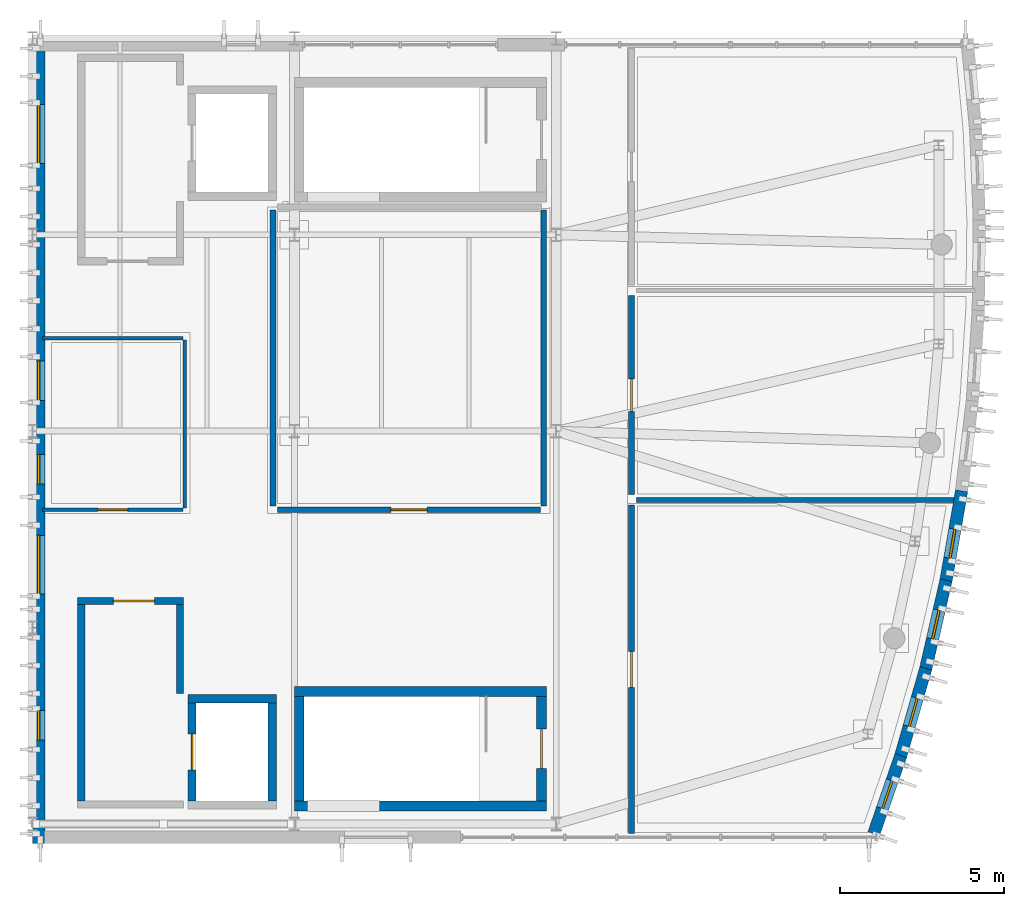
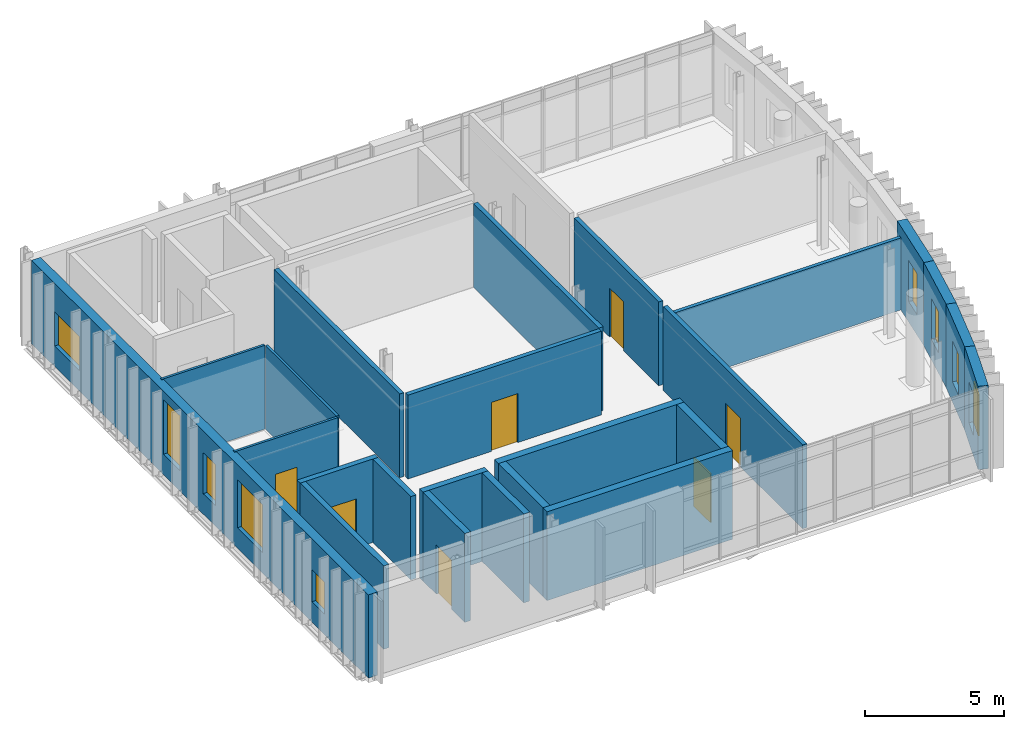
# One storey, part 6 of 9: 24 walls, 9 windows, 7 doors, 16 openings.
"""IFC4 building model written with IfcOpenShell, lengths in metres."""

from ifc_helpers import new_model, si_unit, direction, frame, frame_2d, origin, place, context, subcontext, project, spatial, rectangle, extrude, material, layer, layer_set, type_object, element, fill, save


model = new_model("IFC4")

# Units and contexts
model_context = context("Model", 3, precision=1e-05, world=origin(), true_north=direction((0.0, 1.0)))
body_context = subcontext(model_context, "Body", "Model", "MODEL_VIEW")
ifc_project = project(units=[si_unit("LENGTHUNIT", "METRE"), si_unit("AREAUNIT", "SQUARE_METRE"), si_unit("VOLUMEUNIT", "CUBIC_METRE"), si_unit("PLANEANGLEUNIT", "RADIAN"), si_unit("MASSUNIT", "GRAM", prefix="KILO")], contexts=[model_context])

# Site, building, storey
site_placement = place(None, origin())
site = spatial("IfcSite", under=ifc_project, at=site_placement, CompositionType="ELEMENT")
building_placement = place(site_placement, origin())
building = spatial("IfcBuilding", under=site, at=building_placement, Name="Cymarion Research Institute", CompositionType="ELEMENT")
storey_placement = place(building_placement, frame((0.0, 0.0, 42.300048828125)))
storey = spatial("IfcBuildingStorey", under=building, at=storey_placement, Name="L10", CompositionType="ELEMENT", Elevation=42.300048828125)

# Wall, opening, window
ifc_material_1 = material(Name="Precast concrete C40/50", Category="concrete")
ifc_layer_1 = layer(ifc_material_1, 0.3798828125)
ifc_layer_set_1 = layer_set([ifc_layer_1], Name="Precast concrete C40/50")
wall_type_1 = type_object("IfcWallType", Name="EXTERIOR WALL EW-PC380 380MM", PredefinedType="SOLIDWALL", material=ifc_layer_set_1)
wall_1_placement = place(storey_placement, frame((164.302978515625, 5.200927734375, 0.0), z_axis=(0.0, 0.0, 1.0), x_axis=(0.3268184741, 0.945087130897, 0.0)))
wall_1 = element("IfcWall", 1, at=wall_1_placement, inside=storey, type_object=wall_type_1, Name="L10 V1 exterior wall EW-PC380 #324", PredefinedType="SOLIDWALL", context=body_context, shape_type="SweptSolid", body=[
    extrude(rectangle(XDim=2.5263671875, YDim=0.3798828125, at=frame_2d((1.26318359375, 0.0))), origin(), (0.0, 0.0, 1.0), 3.659912109375),
])
opening_1_placement = place(wall_1_placement, frame((0.81298828125, 0.0, 0.89990234375)))
opening_1 = element("IfcOpeningElement", 2, at=opening_1_placement, cuts=wall_1, Name="Opening W24", PredefinedType="OPENING", context=body_context, shape_type="SweptSolid", body=[
    extrude(rectangle(XDim=0.89990234375, YDim=1.800048828125, at=frame_2d((0.449951171875, 0.89990234375))), frame((0.0, 0.199951171875, 0.0), z_axis=(0.0, -1.0, 0.0), x_axis=(1.0, 0.0, 0.0)), (0.0, 0.0, 1.0), 0.39990234375),
])
ifc_material_2 = material(Name="Thermally broken aluminium window with Low-E glazing", Category="aluminium")
window_type_1 = type_object("IfcWindowType", Name="THERMALLY BROKEN ALUMINIUM WINDOW W24 900X1800", PartitioningType="SINGLE_PANEL", PredefinedType="WINDOW", material=ifc_material_2)
window_1_placement = place(opening_1_placement, origin())
window_1 = element("IfcWindow", 3, at=window_1_placement, inside=storey, type_object=window_type_1, Name="L10 V1 facade window W24 #563", OverallHeight=1.800048828125, OverallWidth=0.89990234375, PartitioningType="SINGLE_PANEL", PredefinedType="WINDOW", context=body_context, shape_type="SweptSolid", body=[
    extrude(rectangle(XDim=0.89990234375, YDim=1.800048828125, at=frame_2d((0.449951171875, 0.89990234375))), frame((0.0, 0.030029296875, 0.0), z_axis=(0.0, -1.0, 0.0), x_axis=(1.0, 0.0, 0.0)), (0.0, 0.0, 1.0), 0.06005859375),
])
fill(opening_1, window_1)

wall_2_placement = place(storey_placement, frame((165.122314453125, 7.5673828125, 0.0), z_axis=(0.0, 0.0, 1.0), x_axis=(0.275772175055, 0.961223026912, 0.0)))
wall_2 = element("IfcWall", 4, at=wall_2_placement, inside=storey, type_object=wall_type_1, Name="L10 V1 exterior wall EW-PC380 #325", PredefinedType="SOLIDWALL", context=body_context, shape_type="SweptSolid", body=[
    extrude(rectangle(XDim=2.791259765625, YDim=0.3798828125, at=frame_2d((1.3955078125, 0.0))), origin(), (0.0, 0.0, 1.0), 3.659912109375),
])
opening_2_placement = place(wall_2_placement, frame((0.946044921875, 0.0, 0.89990234375)))
opening_2 = element("IfcOpeningElement", 5, at=opening_2_placement, cuts=wall_2, Name="Opening W24", PredefinedType="OPENING", context=body_context, shape_type="SweptSolid", body=[
    extrude(rectangle(XDim=0.89990234375, YDim=1.800048828125, at=frame_2d((0.449951171875, 0.89990234375))), frame((0.0, 0.199951171875, 0.0), z_axis=(0.0, -1.0, 0.0), x_axis=(1.0, 0.0, 0.0)), (0.0, 0.0, 1.0), 0.39990234375),
])
window_2_placement = place(opening_2_placement, origin())
window_2 = element("IfcWindow", 6, at=window_2_placement, inside=storey, type_object=window_type_1, Name="L10 V1 facade window W24 #564", OverallHeight=1.800048828125, OverallWidth=0.89990234375, PartitioningType="SINGLE_PANEL", PredefinedType="WINDOW", context=body_context, shape_type="SweptSolid", body=[
    extrude(rectangle(XDim=0.89990234375, YDim=1.800048828125, at=frame_2d((0.449951171875, 0.89990234375))), frame((0.0, 0.030029296875, 0.0), z_axis=(0.0, -1.0, 0.0), x_axis=(1.0, 0.0, 0.0)), (0.0, 0.0, 1.0), 0.06005859375),
])
fill(opening_2, window_2)

wall_3_placement = place(storey_placement, frame((165.886962890625, 10.22900390625, 0.0), z_axis=(0.0, 0.0, 1.0), x_axis=(0.224009786197, 0.974586894888, 0.0)))
wall_3 = element("IfcWall", 7, at=wall_3_placement, inside=storey, type_object=wall_type_1, Name="L10 V1 exterior wall EW-PC380 #326", PredefinedType="SOLIDWALL", context=body_context, shape_type="SweptSolid", body=[
    extrude(rectangle(XDim=2.791259765625, YDim=0.3798828125, at=frame_2d((1.3955078125, 0.0))), origin(), (0.0, 0.0, 1.0), 3.659912109375),
])
opening_3_placement = place(wall_3_placement, frame((0.946044921875, 0.0, 0.89990234375)))
opening_3 = element("IfcOpeningElement", 8, at=opening_3_placement, cuts=wall_3, Name="Opening W24", PredefinedType="OPENING", context=body_context, shape_type="SweptSolid", body=[
    extrude(rectangle(XDim=0.89990234375, YDim=1.800048828125, at=frame_2d((0.449951171875, 0.89990234375))), frame((0.0, 0.199951171875, 0.0), z_axis=(0.0, -1.0, 0.0), x_axis=(1.0, 0.0, 0.0)), (0.0, 0.0, 1.0), 0.39990234375),
])
window_3_placement = place(opening_3_placement, origin())
window_3 = element("IfcWindow", 9, at=window_3_placement, inside=storey, type_object=window_type_1, Name="L10 V1 facade window W24 #565", OverallHeight=1.800048828125, OverallWidth=0.89990234375, PartitioningType="SINGLE_PANEL", PredefinedType="WINDOW", context=body_context, shape_type="SweptSolid", body=[
    extrude(rectangle(XDim=0.89990234375, YDim=1.800048828125, at=frame_2d((0.449951171875, 0.89990234375))), frame((0.0, 0.030029296875, 0.0), z_axis=(0.0, -1.0, 0.0), x_axis=(1.0, 0.0, 0.0)), (0.0, 0.0, 1.0), 0.06005859375),
])
fill(opening_3, window_3)

wall_4_placement = place(storey_placement, frame((166.50830078125, 12.927490234375, 0.0), z_axis=(0.0, 0.0, 1.0), x_axis=(0.171699219546, 0.985149419128, 0.0)))
wall_4 = element("IfcWall", 10, at=wall_4_placement, inside=storey, type_object=wall_type_1, Name="L10 V1 exterior wall EW-PC380 #327", PredefinedType="SOLIDWALL", context=body_context, shape_type="SweptSolid", body=[
    extrude(rectangle(XDim=2.791259765625, YDim=0.3798828125, at=frame_2d((1.3955078125, 0.0))), origin(), (0.0, 0.0, 1.0), 3.659912109375),
])
opening_4_placement = place(wall_4_placement, frame((0.700927734375, 0.0, 0.89990234375)))
opening_4 = element("IfcOpeningElement", 11, at=opening_4_placement, cuts=wall_4, Name="Opening W24", PredefinedType="OPENING", context=body_context, shape_type="SweptSolid", body=[
    extrude(rectangle(XDim=0.89990234375, YDim=1.800048828125, at=frame_2d((0.449951171875, 0.89990234375))), frame((0.0, 0.199951171875, 0.0), z_axis=(0.0, -1.0, 0.0), x_axis=(1.0, 0.0, 0.0)), (0.0, 0.0, 1.0), 0.39990234375),
])
window_4_placement = place(opening_4_placement, origin())
window_4 = element("IfcWindow", 12, at=window_4_placement, inside=storey, type_object=window_type_1, Name="L10 V1 facade window W24 #566", OverallHeight=1.800048828125, OverallWidth=0.89990234375, PartitioningType="SINGLE_PANEL", PredefinedType="WINDOW", context=body_context, shape_type="SweptSolid", body=[
    extrude(rectangle(XDim=0.89990234375, YDim=1.800048828125, at=frame_2d((0.449951171875, 0.89990234375))), frame((0.0, 0.030029296875, 0.0), z_axis=(0.0, -1.0, 0.0), x_axis=(1.0, 0.0, 0.0)), (0.0, 0.0, 1.0), 0.06005859375),
])
fill(opening_4, window_4)

# Wall, openings, windows
wall_5_placement = place(storey_placement, frame((138.7900390625, 29.137939453125, 0.0), z_axis=(0.0, 0.0, 1.0), x_axis=(0.0, -1.0, 0.0)))
wall_5 = element("IfcWall", 13, at=wall_5_placement, inside=storey, type_object=wall_type_1, Name="L10 V1 exterior wall EW-PC380 #335", PredefinedType="SOLIDWALL", context=body_context, shape_type="SweptSolid", body=[
    extrude(rectangle(XDim=24.238037109375, YDim=0.3798828125, at=frame_2d((12.119140625, 0.0))), origin(), (0.0, 0.0, 1.0), 3.659912109375),
])
opening_5_placement = place(wall_5_placement, frame((1.6640625, 0.0, 0.89990234375)))
opening_5 = element("IfcOpeningElement", 14, at=opening_5_placement, cuts=wall_5, Name="Opening W17", PredefinedType="OPENING", context=body_context, shape_type="SweptSolid", body=[
    extrude(rectangle(XDim=1.800048828125, YDim=1.5, at=frame_2d((0.89990234375, 0.75))), frame((0.0, 0.199951171875, 0.0), z_axis=(0.0, -1.0, 0.0), x_axis=(1.0, 0.0, 0.0)), (0.0, 0.0, 1.0), 0.39990234375),
])
opening_6_placement = place(wall_5_placement, frame((9.498046875, 0.0, 0.89990234375)))
opening_6 = element("IfcOpeningElement", 15, at=opening_6_placement, cuts=wall_5, Name="Opening W19", PredefinedType="OPENING", context=body_context, shape_type="SweptSolid", body=[
    extrude(rectangle(XDim=1.199951171875, YDim=2.39990234375, at=frame_2d((0.60009765625, 1.199951171875))), frame((0.0, 0.199951171875, 0.0), z_axis=(0.0, -1.0, 0.0), x_axis=(1.0, 0.0, 0.0)), (0.0, 0.0, 1.0), 0.39990234375),
])
opening_7_placement = place(wall_5_placement, frame((12.35791015625, 0.0, 0.89990234375)))
opening_7 = element("IfcOpeningElement", 16, at=opening_7_placement, cuts=wall_5, Name="Opening W24", PredefinedType="OPENING", context=body_context, shape_type="SweptSolid", body=[
    extrude(rectangle(XDim=0.89990234375, YDim=1.800048828125, at=frame_2d((0.449951171875, 0.89990234375))), frame((0.0, 0.199951171875, 0.0), z_axis=(0.0, -1.0, 0.0), x_axis=(1.0, 0.0, 0.0)), (0.0, 0.0, 1.0), 0.39990234375),
])
opening_8_placement = place(wall_5_placement, frame((14.818115234375, 0.0, 0.89990234375)))
opening_8 = element("IfcOpeningElement", 17, at=opening_8_placement, cuts=wall_5, Name="Opening W10", PredefinedType="OPENING", context=body_context, shape_type="SweptSolid", body=[
    extrude(rectangle(XDim=1.800048828125, YDim=2.10009765625, at=frame_2d((0.89990234375, 1.050048828125))), frame((0.0, 0.199951171875, 0.0), z_axis=(0.0, -1.0, 0.0), x_axis=(1.0, 0.0, 0.0)), (0.0, 0.0, 1.0), 0.39990234375),
])
opening_9_placement = place(wall_5_placement, frame((20.177978515625, 0.0, 0.89990234375)))
opening_9 = element("IfcOpeningElement", 18, at=opening_9_placement, cuts=wall_5, Name="Opening W25", PredefinedType="OPENING", context=body_context, shape_type="SweptSolid", body=[
    extrude(rectangle(XDim=0.89990234375, YDim=1.39990234375, at=frame_2d((0.449951171875, 0.699951171875))), frame((0.0, 0.199951171875, 0.0), z_axis=(0.0, -1.0, 0.0), x_axis=(1.0, 0.0, 0.0)), (0.0, 0.0, 1.0), 0.39990234375),
])
window_type_2 = type_object("IfcWindowType", Name="THERMALLY BROKEN ALUMINIUM WINDOW W10 1800X2100", PartitioningType="DOUBLE_PANEL_VERTICAL", PredefinedType="WINDOW", material=ifc_material_2)
window_5_placement = place(opening_8_placement, origin())
window_5 = element("IfcWindow", 19, at=window_5_placement, inside=storey, type_object=window_type_2, Name="L10 V1 facade window W10 #576", OverallHeight=2.10009765625, OverallWidth=1.800048828125, PartitioningType="SINGLE_PANEL", PredefinedType="WINDOW", context=body_context, shape_type="SweptSolid", body=[
    extrude(rectangle(XDim=1.800048828125, YDim=2.10009765625, at=frame_2d((0.89990234375, 1.050048828125))), frame((0.0, 0.030029296875, 0.0), z_axis=(0.0, -1.0, 0.0), x_axis=(1.0, 0.0, 0.0)), (0.0, 0.0, 1.0), 0.06005859375),
])
fill(opening_8, window_5)
window_type_3 = type_object("IfcWindowType", Name="THERMALLY BROKEN ALUMINIUM WINDOW W17 1800X1500", PartitioningType="DOUBLE_PANEL_HORIZONTAL", PredefinedType="WINDOW", material=ifc_material_2)
window_6_placement = place(opening_5_placement, origin())
window_6 = element("IfcWindow", 20, at=window_6_placement, inside=storey, type_object=window_type_3, Name="L10 V1 facade window W17 #573", OverallHeight=1.5, OverallWidth=1.800048828125, PartitioningType="SINGLE_PANEL", PredefinedType="WINDOW", context=body_context, shape_type="SweptSolid", body=[
    extrude(rectangle(XDim=1.800048828125, YDim=1.5, at=frame_2d((0.89990234375, 0.75))), frame((0.0, 0.030029296875, 0.0), z_axis=(0.0, -1.0, 0.0), x_axis=(1.0, 0.0, 0.0)), (0.0, 0.0, 1.0), 0.06005859375),
])
fill(opening_5, window_6)
window_type_4 = type_object("IfcWindowType", Name="THERMALLY BROKEN ALUMINIUM WINDOW W19 1200X2400", PartitioningType="SINGLE_PANEL", PredefinedType="WINDOW", material=ifc_material_2)
window_7_placement = place(opening_6_placement, origin())
window_7 = element("IfcWindow", 21, at=window_7_placement, inside=storey, type_object=window_type_4, Name="L10 V1 facade window W19 #574", OverallHeight=2.39990234375, OverallWidth=1.199951171875, PartitioningType="SINGLE_PANEL", PredefinedType="WINDOW", context=body_context, shape_type="SweptSolid", body=[
    extrude(rectangle(XDim=1.199951171875, YDim=2.39990234375, at=frame_2d((0.60009765625, 1.199951171875))), frame((0.0, 0.030029296875, 0.0), z_axis=(0.0, -1.0, 0.0), x_axis=(1.0, 0.0, 0.0)), (0.0, 0.0, 1.0), 0.06005859375),
])
fill(opening_6, window_7)
window_8_placement = place(opening_7_placement, origin())
window_8 = element("IfcWindow", 22, at=window_8_placement, inside=storey, type_object=window_type_1, Name="L10 V1 facade window W24 #575", OverallHeight=1.800048828125, OverallWidth=0.89990234375, PartitioningType="SINGLE_PANEL", PredefinedType="WINDOW", context=body_context, shape_type="SweptSolid", body=[
    extrude(rectangle(XDim=0.89990234375, YDim=1.800048828125, at=frame_2d((0.449951171875, 0.89990234375))), frame((0.0, 0.030029296875, 0.0), z_axis=(0.0, -1.0, 0.0), x_axis=(1.0, 0.0, 0.0)), (0.0, 0.0, 1.0), 0.06005859375),
])
fill(opening_7, window_8)
window_type_5 = type_object("IfcWindowType", Name="THERMALLY BROKEN ALUMINIUM WINDOW W25 900X1400", PartitioningType="SINGLE_PANEL", PredefinedType="WINDOW", material=ifc_material_2)
window_9_placement = place(opening_9_placement, origin())
window_9 = element("IfcWindow", 23, at=window_9_placement, inside=storey, type_object=window_type_5, Name="L10 V1 facade window W25 #577", OverallHeight=1.39990234375, OverallWidth=0.89990234375, PartitioningType="SINGLE_PANEL", PredefinedType="WINDOW", context=body_context, shape_type="SweptSolid", body=[
    extrude(rectangle(XDim=0.89990234375, YDim=1.39990234375, at=frame_2d((0.449951171875, 0.699951171875))), frame((0.0, 0.030029296875, 0.0), z_axis=(0.0, -1.0, 0.0), x_axis=(1.0, 0.0, 0.0)), (0.0, 0.0, 1.0), 0.06005859375),
])
fill(opening_9, window_9)

# Walls
ifc_material_3 = material(Name="Gypsum acoustic double-stud partition", Category="gypsum")
ifc_layer_2 = layer(ifc_material_3, 0.14990234375)
ifc_layer_set_2 = layer_set([ifc_layer_2], Name="Gypsum acoustic double-stud partition")
wall_type_2 = type_object("IfcWallType", Name="INTERIOR PARTITION IW-AC150 150MM", PredefinedType="PARTITIONING", material=ifc_layer_set_2)
wall_6_placement = place(storey_placement, frame((157.050048828125, 15.39990234375, 0.0), z_axis=(0.0, 0.0, 1.0), x_axis=(1.0, 0.0, 0.0)))
element("IfcWall", 24, at=wall_6_placement, inside=storey, type_object=wall_type_2, Name="L10 V1 interior partition IW-AC150 #430", PredefinedType="PARTITIONING", context=body_context, shape_type="SweptSolid", body=[
    extrude(rectangle(XDim=9.7724609375, YDim=0.14990234375, at=frame_2d((4.88623046875, 0.0))), origin(), (0.0, 0.0, 1.0), 3.159912109375),
])
ifc_material_4 = material(Name="Framed acoustic glass laboratory screen", Category="glass")
ifc_layer_3 = layer(ifc_material_4, 0.10009765625)
ifc_layer_set_3 = layer_set([ifc_layer_3], Name="Framed acoustic glass laboratory screen")
wall_type_3 = type_object("IfcWallType", Name="INTERIOR PARTITION IW-GL100 100MM", PredefinedType="PARTITIONING", material=ifc_layer_set_3)
wall_7_placement = place(storey_placement, frame((138.905029296875, 20.340087890625, 0.0), z_axis=(0.0, 0.0, 1.0), x_axis=(1.0, 0.0, 0.0)))
element("IfcWall", 25, at=wall_7_placement, inside=storey, type_object=wall_type_3, Name="L10 V1 interior partition IW-GL100 #423", PredefinedType="PARTITIONING", context=body_context, shape_type="SweptSolid", body=[
    extrude(rectangle(XDim=4.294921875, YDim=0.10009765625, at=frame_2d((2.1474609375, 0.0))), origin(), (0.0, 0.0, 1.0), 3.679931640625),
])
wall_8_placement = place(storey_placement, frame((143.25, 15.159912109375, 0.0), z_axis=(0.0, 0.0, 1.0), x_axis=(0.0, 1.0, 0.0)))
element("IfcWall", 26, at=wall_8_placement, inside=storey, type_object=wall_type_3, Name="L10 V1 interior partition IW-GL100 #424", PredefinedType="PARTITIONING", context=body_context, shape_type="SweptSolid", body=[
    extrude(rectangle(XDim=5.1201171875, YDim=0.10009765625, at=frame_2d((2.56005859375, 0.0))), origin(), (0.0, 0.0, 1.0), 3.679931640625),
])

# Wall, opening, door
wall_9_placement = place(storey_placement, frame((138.905029296875, 15.10009765625, 0.0), z_axis=(0.0, 0.0, 1.0), x_axis=(1.0, 0.0, 0.0)))
wall_9 = element("IfcWall", 27, at=wall_9_placement, inside=storey, type_object=wall_type_3, Name="L10 V1 interior partition IW-GL100 #425", PredefinedType="PARTITIONING", context=body_context, shape_type="SweptSolid", body=[
    extrude(rectangle(XDim=4.294921875, YDim=0.10009765625, at=frame_2d((2.1474609375, 0.0))), origin(), (0.0, 0.0, 1.0), 3.679931640625),
])
opening_10_placement = place(wall_9_placement, frame((1.697998046875, 0.0, 0.0)))
opening_10 = element("IfcOpeningElement", 28, at=opening_10_placement, cuts=wall_9, Name="Opening D-L10-243", PredefinedType="OPENING", context=body_context, shape_type="SweptSolid", body=[
    extrude(rectangle(XDim=0.89990234375, YDim=2.10009765625, at=frame_2d((0.449951171875, 1.050048828125))), frame((0.0, 0.06005859375, 0.0), z_axis=(0.0, -1.0, 0.0), x_axis=(1.0, 0.0, 0.0)), (0.0, 0.0, 1.0), 0.1201171875),
])
ifc_material_5 = material(Name="Flush acoustic timber/steel door assembly", Category="steel")
door_type_1 = type_object("IfcDoorType", Name="RESEARCH WRITE-UP OFFICE DOOR DT-OF090 900X2100", OperationType="NOTDEFINED", PredefinedType="DOOR", material=ifc_material_5)
door_1_placement = place(opening_10_placement, origin())
door_1 = element("IfcDoor", 29, at=door_1_placement, inside=storey, type_object=door_type_1, Name="L10 West Write-up door D-L10-243", OperationType="SINGLE_SWING_RIGHT", OverallHeight=2.10009765625, OverallWidth=0.89990234375, PredefinedType="DOOR", context=body_context, shape_type="SweptSolid", body=[
    extrude(rectangle(XDim=0.89990234375, YDim=2.10009765625, at=frame_2d((0.449951171875, 1.050048828125))), frame((0.0, 0.02490234375, 0.0), z_axis=(0.0, -1.0, 0.0), x_axis=(1.0, 0.0, 0.0)), (0.0, 0.0, 1.0), 0.050048828125),
])
fill(opening_10, door_1)

# Walls
ifc_material_6 = material(Name="Moisture-resistant laboratory partition", Category="gypsum")
ifc_layer_4 = layer(ifc_material_6, 0.179931640625)
ifc_layer_set_4 = layer_set([ifc_layer_4], Name="Moisture-resistant laboratory partition")
wall_type_4 = type_object("IfcWallType", Name="INTERIOR PARTITION IW-LB180 180MM", PredefinedType="PARTITIONING", material=ifc_layer_set_4)
for number, where, z_axis, x_axis, name in (
    (30, (145.949951171875, 15.219970703125, 0.0), (0.0, 0.0, 1.0), (0.0, 1.0, 0.0), "L10 V1 interior partition IW-LB180 #426"),
    (31, (154.219970703125, 15.219970703125, 0.0), (0.0, 0.0, 1.0), (0.0, 1.0, 0.0), "L10 V1 interior partition IW-LB180 #428"),
):
    element("IfcWall", number, at=place(storey_placement, frame(where, z_axis=z_axis, x_axis=x_axis)), inside=storey, type_object=wall_type_4, Name=name, PredefinedType="PARTITIONING", context=body_context, shape_type="SweptSolid", body=[
        extrude(rectangle(XDim=9.030029296875, YDim=0.179931640625, at=frame_2d((4.51513671875, 0.0))), origin(), (0.0, 0.0, 1.0), 3.679931640625),
    ])

# Wall, opening, door
wall_10_placement = place(storey_placement, frame((146.080078125, 15.10009765625, 0.0), z_axis=(0.0, 0.0, 1.0), x_axis=(1.0, 0.0, 0.0)))
wall_10 = element("IfcWall", 32, at=wall_10_placement, inside=storey, type_object=wall_type_4, Name="L10 V1 interior partition IW-LB180 #429", PredefinedType="PARTITIONING", context=body_context, shape_type="SweptSolid", body=[
    extrude(rectangle(XDim=8.0400390625, YDim=0.179931640625, at=frame_2d((4.02001953125, 0.0))), origin(), (0.0, 0.0, 1.0), 3.679931640625),
])
opening_11_placement = place(wall_10_placement, frame((3.469970703125, 0.0, 0.0)))
opening_11 = element("IfcOpeningElement", 33, at=opening_11_placement, cuts=wall_10, Name="Opening D-L10-244", PredefinedType="OPENING", context=body_context, shape_type="SweptSolid", body=[
    extrude(rectangle(XDim=1.10009765625, YDim=2.14990234375, at=frame_2d((0.550048828125, 1.074951171875))), frame((0.0, 0.099853515625, 0.0), z_axis=(0.0, -1.0, 0.0), x_axis=(1.0, 0.0, 0.0)), (0.0, 0.0, 1.0), 0.199951171875),
])
door_type_2 = type_object("IfcDoorType", Name="LABORATORY WIDE SINGLE DOOR DT-LB110 1100X2150", OperationType="NOTDEFINED", PredefinedType="DOOR", material=ifc_material_5)
door_2_placement = place(opening_11_placement, origin())
door_2 = element("IfcDoor", 34, at=door_2_placement, inside=storey, type_object=door_type_2, Name="L10 Central Assay Lab door D-L10-244", OperationType="SINGLE_SWING_LEFT", OverallHeight=2.14990234375, OverallWidth=1.10009765625, PredefinedType="DOOR", context=body_context, shape_type="SweptSolid", body=[
    extrude(rectangle(XDim=1.10009765625, YDim=2.14990234375, at=frame_2d((0.550048828125, 1.074951171875))), frame((0.0, 0.02490234375, 0.0), z_axis=(0.0, -1.0, 0.0), x_axis=(1.0, 0.0, 0.0)), (0.0, 0.0, 1.0), 0.050048828125),
])
fill(opening_11, door_2)

wall_11_placement = place(storey_placement, frame((156.89990234375, 5.205078125, 0.0), z_axis=(0.0, 0.0, 1.0), x_axis=(0.0, 1.0, 0.0)))
wall_11 = element("IfcWall", 35, at=wall_11_placement, inside=storey, type_object=wall_type_4, Name="L10 V1 interior partition IW-LB180 #432", PredefinedType="PARTITIONING", context=body_context, shape_type="SweptSolid", body=[
    extrude(rectangle(XDim=10.034912109375, YDim=0.179931640625, at=frame_2d((5.017578125, 0.0))), origin(), (0.0, 0.0, 1.0), 3.679931640625),
])
opening_12_placement = place(wall_11_placement, frame((4.468017578125, 0.0, 0.0)))
opening_12 = element("IfcOpeningElement", 36, at=opening_12_placement, cuts=wall_11, Name="Opening D-L10-245", PredefinedType="OPENING", context=body_context, shape_type="SweptSolid", body=[
    extrude(rectangle(XDim=1.10009765625, YDim=2.14990234375, at=frame_2d((0.550048828125, 1.074951171875))), frame((0.0, 0.099853515625, 0.0), z_axis=(0.0, -1.0, 0.0), x_axis=(1.0, 0.0, 0.0)), (0.0, 0.0, 1.0), 0.199951171875),
])
door_3_placement = place(opening_12_placement, origin())
door_3 = element("IfcDoor", 37, at=door_3_placement, inside=storey, type_object=door_type_2, Name="L10 Tower Lab door D-L10-245", OperationType="SINGLE_SWING_RIGHT", OverallHeight=2.14990234375, OverallWidth=1.10009765625, PredefinedType="DOOR", context=body_context, shape_type="SweptSolid", body=[
    extrude(rectangle(XDim=1.10009765625, YDim=2.14990234375, at=frame_2d((0.550048828125, 1.074951171875))), frame((0.0, 0.02490234375, 0.0), z_axis=(0.0, -1.0, 0.0), x_axis=(1.0, 0.0, 0.0)), (0.0, 0.0, 1.0), 0.050048828125),
])
fill(opening_12, door_3)

wall_12_placement = place(storey_placement, frame((156.89990234375, 15.56005859375, 0.0), z_axis=(0.0, 0.0, 1.0), x_axis=(0.0, 1.0, 0.0)))
wall_12 = element("IfcWall", 38, at=wall_12_placement, inside=storey, type_object=wall_type_4, Name="L10 V1 interior partition IW-LB180 #433", PredefinedType="PARTITIONING", context=body_context, shape_type="SweptSolid", body=[
    extrude(rectangle(XDim=6.079833984375, YDim=0.179931640625, at=frame_2d((3.0400390625, 0.0))), origin(), (0.0, 0.0, 1.0), 3.679931640625),
])
opening_13_placement = place(wall_12_placement, frame((2.5400390625, 0.0, 0.0)))
opening_13 = element("IfcOpeningElement", 39, at=opening_13_placement, cuts=wall_12, Name="Opening D-L10-246", PredefinedType="OPENING", context=body_context, shape_type="SweptSolid", body=[
    extrude(rectangle(XDim=1.0, YDim=2.14990234375, at=frame_2d((0.5, 1.074951171875))), frame((0.0, 0.099853515625, 0.0), z_axis=(0.0, -1.0, 0.0), x_axis=(1.0, 0.0, 0.0)), (0.0, 0.0, 1.0), 0.199951171875),
])
door_type_3 = type_object("IfcDoorType", Name="LABORATORY SINGLE LEAF DOOR DT-LB100 1000X2150", OperationType="NOTDEFINED", PredefinedType="DOOR", material=ifc_material_5)
door_4_placement = place(opening_13_placement, origin())
door_4 = element("IfcDoor", 40, at=door_4_placement, inside=storey, type_object=door_type_3, Name="L10 Instrument Room door D-L10-246", OperationType="SINGLE_SWING_LEFT", OverallHeight=2.14990234375, OverallWidth=1.0, PredefinedType="DOOR", context=body_context, shape_type="SweptSolid", body=[
    extrude(rectangle(XDim=1.0, YDim=2.14990234375, at=frame_2d((0.5, 1.074951171875))), frame((0.0, 0.02490234375, 0.0), z_axis=(0.0, -1.0, 0.0), x_axis=(1.0, 0.0, 0.0)), (0.0, 0.0, 1.0), 0.050048828125),
])
fill(opening_13, door_4)

ifc_material_7 = material(Name="Concrete C40/50", Category="concrete")
ifc_layer_5 = layer(ifc_material_7, 0.219970703125)
ifc_layer_set_5 = layer_set([ifc_layer_5], Name="Concrete C40/50")
wall_type_5 = type_object("IfcWallType", Name="REINFORCED CONCRETE CORE WALL CW-FF220 220MM", PredefinedType="SOLIDWALL", material=ifc_layer_set_5)
wall_13_placement = place(storey_placement, frame((143.219970703125, 12.31005859375, 0.0), z_axis=(0.0, 0.0, 1.0), x_axis=(-1.0, 0.0, 0.0)))
wall_13 = element("IfcWall", 41, at=wall_13_placement, inside=storey, type_object=wall_type_5, Name="L10 FFL-LF1-L10 north core wall", PredefinedType="SOLIDWALL", context=body_context, shape_type="SweptSolid", body=[
    extrude(rectangle(XDim=3.239990234375, YDim=0.219970703125, at=frame_2d((1.6201171875, 0.0))), origin(), (0.0, 0.0, 1.0), 3.659912109375),
])
opening_14_placement = place(wall_13_placement, frame((0.89990234375, 0.0, 0.0)))
opening_14 = element("IfcOpeningElement", 42, at=opening_14_placement, cuts=wall_13, Name="Opening FD-FFL-LF1-L10", PredefinedType="OPENING", context=body_context, shape_type="SweptSolid", body=[
    extrude(rectangle(XDim=1.25, YDim=2.14990234375, at=frame_2d((0.625, 1.074951171875))), frame((0.0, 0.119873046875, 0.0), z_axis=(0.0, -1.0, 0.0), x_axis=(1.0, 0.0, 0.0)), (0.0, 0.0, 1.0), 0.239990234375),
])
ifc_material_8 = material(Name="Fire-rated insulated steel door assembly", Category="steel")
door_type_4 = type_object("IfcDoorType", Name="FIREFIGHTING LOBBY DOOR DT-FF125 1250X2150", OperationType="NOTDEFINED", PredefinedType="DOOR", material=ifc_material_8)
door_5_placement = place(opening_14_placement, frame((1.25, 0.0, 0.0), z_axis=(0.0, 0.0, 1.0), x_axis=(-1.0, 0.0, 0.0)))
door_5 = element("IfcDoor", 43, at=door_5_placement, inside=storey, type_object=door_type_4, Name="L10 Firefighting lobby door FD-FFL-LF1-L10", OperationType="SINGLE_SWING_RIGHT", OverallHeight=2.14990234375, OverallWidth=1.25, PredefinedType="DOOR", context=body_context, shape_type="SweptSolid", body=[
    extrude(rectangle(XDim=1.25, YDim=2.14990234375, at=frame_2d((0.625, 1.074951171875))), frame((0.0, 0.02490234375, 0.0), z_axis=(0.0, -1.0, 0.0), x_axis=(1.0, 0.0, 0.0)), (0.0, 0.0, 1.0), 0.050048828125),
])
fill(opening_14, door_5)

# Walls
wall_14_placement = place(storey_placement, frame((140.090087890625, 12.199951171875, 0.0), z_axis=(0.0, 0.0, 1.0), x_axis=(0.0, -1.0, 0.0)))
element("IfcWall", 44, at=wall_14_placement, inside=storey, type_object=wall_type_5, Name="L10 FFL-LF1-L10 west core wall", PredefinedType="SOLIDWALL", context=body_context, shape_type="SweptSolid", body=[
    extrude(rectangle(XDim=6.0, YDim=0.219970703125, at=frame_2d((3.0, 0.0))), origin(), (0.0, 0.0, 1.0), 3.659912109375),
])
wall_15_placement = place(storey_placement, frame((143.110107421875, 9.47998046875, 0.0), z_axis=(0.0, 0.0, 1.0), x_axis=(0.0, 1.0, 0.0)))
element("IfcWall", 45, at=wall_15_placement, inside=storey, type_object=wall_type_5, Name="Core C1 firefighting lobby east closure wall L10", PredefinedType="SOLIDWALL", context=body_context, shape_type="SweptSolid", body=[
    extrude(rectangle(XDim=2.719970703125, YDim=0.219970703125, at=frame_2d((1.35986328125, 0.0))), origin(), (0.0, 0.0, 1.0), 3.659912109375),
])
ifc_layer_6 = layer(ifc_material_7, 0.25)
ifc_layer_set_6 = layer_set([ifc_layer_6], Name="Concrete C40/50")
wall_type_6 = type_object("IfcWallType", Name="REINFORCED CONCRETE CORE WALL CW-SH250 250MM", PredefinedType="SHEAR", material=ifc_layer_set_6)
wall_16_placement = place(storey_placement, frame((146.050048828125, 9.324951171875, 0.0), z_axis=(0.0, 0.0, 1.0), x_axis=(-1.0, 0.0, 0.0)))
element("IfcWall", 46, at=wall_16_placement, inside=storey, type_object=wall_type_6, Name="L10 LSH-LF1-L10 north core wall", PredefinedType="SHEAR", context=body_context, shape_type="SweptSolid", body=[
    extrude(rectangle(XDim=2.699951171875, YDim=0.25, at=frame_2d((1.35009765625, 0.0))), origin(), (0.0, 0.0, 1.0), 3.89990234375),
])

# Wall, opening, door
wall_17_placement = place(storey_placement, frame((143.47509765625, 9.199951171875, 0.0), z_axis=(0.0, 0.0, 1.0), x_axis=(0.0, -1.0, 0.0)))
wall_17 = element("IfcWall", 47, at=wall_17_placement, inside=storey, type_object=wall_type_6, Name="L10 LSH-LF1-L10 west core wall", PredefinedType="SHEAR", context=body_context, shape_type="SweptSolid", body=[
    extrude(rectangle(XDim=3.0, YDim=0.25, at=frame_2d((1.5, 0.0))), origin(), (0.0, 0.0, 1.0), 3.89990234375),
])
opening_15_placement = place(wall_17_placement, frame((0.949951171875, 0.0, 0.0)))
opening_15 = element("IfcOpeningElement", 48, at=opening_15_placement, cuts=wall_17, Name="Opening LD-LF1-L10", PredefinedType="OPENING", context=body_context, shape_type="SweptSolid", body=[
    extrude(rectangle(XDim=1.10009765625, YDim=2.14990234375, at=frame_2d((0.550048828125, 1.074951171875))), frame((0.0, 0.135009765625, 0.0), z_axis=(0.0, -1.0, 0.0), x_axis=(1.0, 0.0, 0.0)), (0.0, 0.0, 1.0), 0.27001953125),
])
door_type_5 = type_object("IfcDoorType", Name="SLIDING LIFT LANDING DOOR DT-LD110 1100X2150", OperationType="DOUBLE_DOOR_SLIDING", PredefinedType="DOOR", material=ifc_material_8)
door_6_placement = place(opening_15_placement, origin())
door_6 = element("IfcDoor", 49, at=door_6_placement, inside=storey, type_object=door_type_5, Name="Lift LF1 landing door L10", OperationType="DOUBLE_DOOR_SLIDING", OverallHeight=2.14990234375, OverallWidth=1.10009765625, PredefinedType="DOOR", context=body_context, shape_type="SweptSolid", body=[
    extrude(rectangle(XDim=1.10009765625, YDim=2.14990234375, at=frame_2d((0.550048828125, 1.074951171875))), frame((0.0, 0.02490234375, 0.0), z_axis=(0.0, -1.0, 0.0), x_axis=(1.0, 0.0, 0.0)), (0.0, 0.0, 1.0), 0.050048828125),
])
fill(opening_15, door_6)

# Walls
wall_18_placement = place(storey_placement, frame((145.925048828125, 6.199951171875, 0.0), z_axis=(0.0, 0.0, 1.0), x_axis=(0.0, 1.0, 0.0)))
element("IfcWall", 50, at=wall_18_placement, inside=storey, type_object=wall_type_6, Name="L10 LSH-LF1-L10 east core wall", PredefinedType="SHEAR", context=body_context, shape_type="SweptSolid", body=[
    extrude(rectangle(XDim=3.0, YDim=0.25, at=frame_2d((1.5, 0.0))), origin(), (0.0, 0.0, 1.0), 3.89990234375),
])
ifc_layer_7 = layer(ifc_material_7, 0.300048828125)
ifc_layer_set_7 = layer_set([ifc_layer_7], Name="Concrete C40/50")
wall_type_7 = type_object("IfcWallType", Name="REINFORCED CONCRETE CORE WALL CW-SH300 300MM", PredefinedType="SHEAR", material=ifc_layer_set_7)
for number, where, z_axis, x_axis, name in (
    (51, (146.60009765625, 6.050048828125, 0.0), (0.0, 0.0, 1.0), (1.0, 0.0, 0.0), "L10 SHW-C1-L10 south core wall"),
    (52, (154.300048828125, 9.550048828125, 0.0), (0.0, 0.0, 1.0), (-1.0, 0.0, 0.0), "L10 SHW-C1-L10 north core wall"),
):
    element("IfcWall", number, at=place(storey_placement, frame(where, z_axis=z_axis, x_axis=x_axis)), inside=storey, type_object=wall_type_7, Name=name, PredefinedType="SHEAR", context=body_context, shape_type="SweptSolid", body=[
        extrude(rectangle(XDim=7.699951171875, YDim=0.300048828125, at=frame_2d((3.85009765625, 0.0))), origin(), (0.0, 0.0, 1.0), 3.89990234375),
    ])
wall_19_placement = place(storey_placement, frame((146.75, 9.39990234375, 0.0), z_axis=(0.0, 0.0, 1.0), x_axis=(0.0, -1.0, 0.0)))
element("IfcWall", 53, at=wall_19_placement, inside=storey, type_object=wall_type_7, Name="L10 SHW-C1-L10 west core wall", PredefinedType="SHEAR", context=body_context, shape_type="SweptSolid", body=[
    extrude(rectangle(XDim=3.199951171875, YDim=0.300048828125, at=frame_2d((1.60009765625, 0.0))), origin(), (0.0, 0.0, 1.0), 3.89990234375),
])

# Wall, opening, door
wall_20_placement = place(storey_placement, frame((154.14990234375, 6.199951171875, 0.0), z_axis=(0.0, 0.0, 1.0), x_axis=(0.0, 1.0, 0.0)))
wall_20 = element("IfcWall", 54, at=wall_20_placement, inside=storey, type_object=wall_type_7, Name="L10 SHW-C1-L10 east core wall", PredefinedType="SHEAR", context=body_context, shape_type="SweptSolid", body=[
    extrude(rectangle(XDim=3.199951171875, YDim=0.300048828125, at=frame_2d((1.60009765625, 0.0))), origin(), (0.0, 0.0, 1.0), 3.89990234375),
])
opening_16_placement = place(wall_20_placement, frame((1.0, 0.0, 0.0)))
opening_16 = element("IfcOpeningElement", 55, at=opening_16_placement, cuts=wall_20, Name="Opening FD-L10-ST1", PredefinedType="OPENING", context=body_context, shape_type="SweptSolid", body=[
    extrude(rectangle(XDim=1.199951171875, YDim=2.14990234375, at=frame_2d((0.60009765625, 1.074951171875))), frame((0.0, 0.159912109375, 0.0), z_axis=(0.0, -1.0, 0.0), x_axis=(1.0, 0.0, 0.0)), (0.0, 0.0, 1.0), 0.320068359375),
])
door_type_6 = type_object("IfcDoorType", Name="SMOKE PROOF STAIR FIRE DOOR DT-ST120 1200X2150", OperationType="NOTDEFINED", PredefinedType="DOOR", material=ifc_material_8)
door_7_placement = place(opening_16_placement, origin())
door_7 = element("IfcDoor", 56, at=door_7_placement, inside=storey, type_object=door_type_6, Name="L10 ST1 smoke-proof stair door FD-L10-ST1", OperationType="SINGLE_SWING_RIGHT", OverallHeight=2.14990234375, OverallWidth=1.199951171875, PredefinedType="DOOR", context=body_context, shape_type="SweptSolid", body=[
    extrude(rectangle(XDim=1.199951171875, YDim=2.14990234375, at=frame_2d((0.60009765625, 1.074951171875))), frame((0.0, 0.02490234375, 0.0), z_axis=(0.0, -1.0, 0.0), x_axis=(1.0, 0.0, 0.0)), (0.0, 0.0, 1.0), 0.050048828125),
])
fill(opening_16, door_7)

save(model, "model.ifc")
